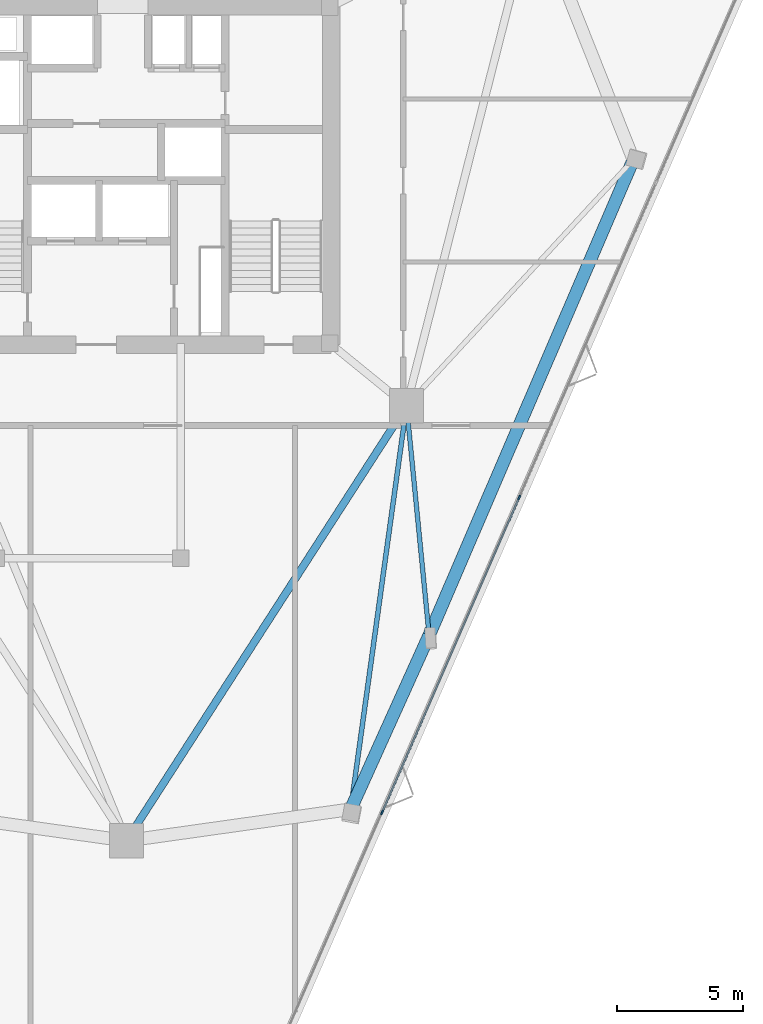
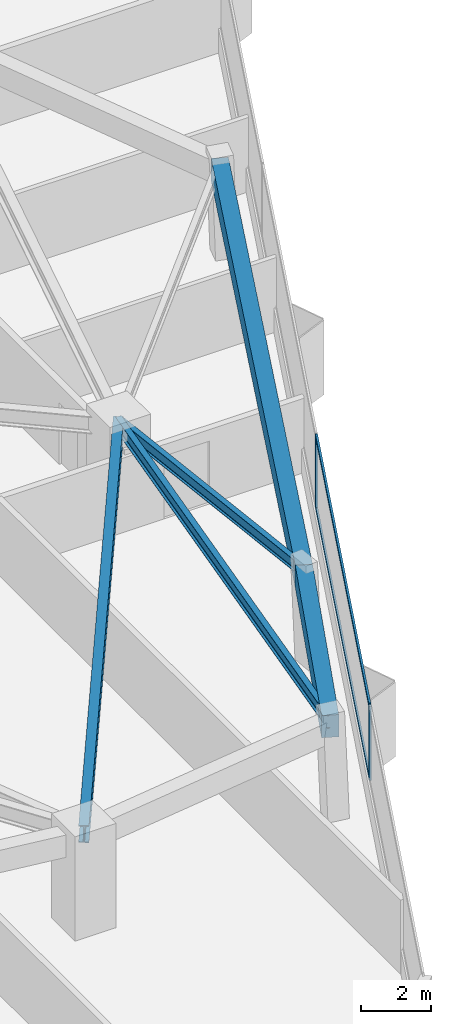
# One storey, part 4 of 12: 5 beams, 4 members, 1 element without a shape of its own.
"""IFC4 building model written with IfcOpenShell, lengths in metres."""

from ifc_helpers import new_model, si_unit, direction, frame, origin, origin_2d, place, context, subcontext, project, spatial, rectangle, i_section, extrude, material, layer, layer_set, material_profile, profile_set, type_object, element, aggregate, save


model = new_model("IFC4")

# Units and contexts
model_context = context("Model", 3, precision=1e-05, world=origin(), true_north=direction((0.0, 1.0)))
body_context = subcontext(model_context, "Body", "Model", "MODEL_VIEW")
ifc_project = project(units=[si_unit("LENGTHUNIT", "METRE"), si_unit("AREAUNIT", "SQUARE_METRE"), si_unit("VOLUMEUNIT", "CUBIC_METRE"), si_unit("PLANEANGLEUNIT", "RADIAN"), si_unit("MASSUNIT", "GRAM", prefix="KILO")], contexts=[model_context])

# Site, building, storey
site_placement = place(None, origin())
site = spatial("IfcSite", under=ifc_project, at=site_placement, CompositionType="ELEMENT")
building_placement = place(site_placement, origin())
building = spatial("IfcBuilding", under=site, at=building_placement, Name="Talyreon Biosciences Tower", CompositionType="ELEMENT")
storey_placement = place(building_placement, frame((0.0, 0.0, 183.050048828125)))
storey = spatial("IfcBuildingStorey", under=building, at=storey_placement, Name="L48", CompositionType="ELEMENT", Elevation=183.050048828125)

# Curtain wall, members
ifc_material_1 = material(Name="Thermally broken aluminium and low-E glazing", Category="aluminium")
ifc_layer = layer(ifc_material_1, 0.179931640625)
ifc_layer_set = layer_set([ifc_layer], Name="Thermally broken aluminium and low-E glazing")
curtain_wall_type = type_object("IfcCurtainWallType", Name="CurtainWall_Zone4Optical", PredefinedType="NOTDEFINED", material=ifc_layer_set)
curtain_wall_placement = place(storey_placement, origin())
curtain_wall = element("IfcCurtainWall", 1, at=curtain_wall_placement, inside=storey, type_object=curtain_wall_type, Name="L48 Unitised Curtain Wall FCW-L48-08", PredefinedType="NOTDEFINED")
ifc_material_2 = material(Name="Anodised thermally broken aluminium", Category="aluminium")
ifc_material_profile_1 = material_profile(ifc_material_2, rectangle(XDim=0.06494140625, YDim=0.179931640625, at=origin_2d()), Name="ALUM MULLION 65x180")
ifc_profile_set_1 = profile_set([ifc_material_profile_1], Name="Anodised thermally broken aluminium")
member_type_1 = type_object("IfcMemberType", Name="CWMullion_65x180", PredefinedType="MULLION", material=ifc_profile_set_1)
member_1_placement = place(storey_placement, frame((81.54248046875, 55.251953125, 0.81005859375), z_axis=(0.0, 0.0, 1.0), x_axis=(0.916912184291, -0.399089020519, 0.0)))
member_1 = element("IfcMember", 2, at=member_1_placement, type_object=member_type_1, Name="CW5 mullion 3", PredefinedType="MULLION", context=body_context, shape_type="SweptSolid", body=[
    extrude(rectangle(XDim=0.06494140625, YDim=0.179931640625, at=origin_2d()), origin(), (0.0, 0.0, 1.0), 2.58984375),
])
member_2_placement = place(storey_placement, frame((76.11865234375, 42.7900390625, 0.81005859375), z_axis=(0.0, 0.0, 1.0), x_axis=(0.916912184291, -0.399089020519, 0.0)))
member_2 = element("IfcMember", 3, at=member_2_placement, type_object=member_type_1, Name="CW5 mullion 4", PredefinedType="MULLION", context=body_context, shape_type="SweptSolid", body=[
    extrude(rectangle(XDim=0.06494140625, YDim=0.179931640625, at=origin_2d()), origin(), (0.0, 0.0, 1.0), 2.58984375),
])
ifc_material_profile_2 = material_profile(ifc_material_2, rectangle(XDim=0.06494140625, YDim=0.139892578125, at=origin_2d()), Name="ALUM TRANSOM 65x140")
ifc_profile_set_2 = profile_set([ifc_material_profile_2], Name="Anodised thermally broken aluminium")
member_type_2 = type_object("IfcMemberType", Name="CWTransom_65x140", PredefinedType="USERDEFINED", material=ifc_profile_set_2)
member_3_placement = place(storey_placement, frame((81.529541015625, 55.22216796875, 0.842529296875), z_axis=(-0.399075882405, -0.916917902586, 0.0), x_axis=(0.916917902586, -0.399075882405, 0.0)))
member_3 = element("IfcMember", 4, at=member_3_placement, type_object=member_type_2, Name="CW5 transom 3.1", ObjectType="TRANSOM", PredefinedType="USERDEFINED", context=body_context, shape_type="SweptSolid", body=[
    extrude(rectangle(XDim=0.06494140625, YDim=0.139892578125, at=origin_2d()), origin(), (0.0, 0.0, 1.0), 13.526123046875),
])
member_4_placement = place(storey_placement, frame((81.529541015625, 55.22216796875, 3.367431640625), z_axis=(-0.399075882405, -0.916917902586, 0.0), x_axis=(0.916917902586, -0.399075882405, 0.0)))
member_4 = element("IfcMember", 5, at=member_4_placement, type_object=member_type_2, Name="CW5 transom 3.2", ObjectType="TRANSOM", PredefinedType="USERDEFINED", context=body_context, shape_type="SweptSolid", body=[
    extrude(rectangle(XDim=0.06494140625, YDim=0.139892578125, at=origin_2d()), origin(), (0.0, 0.0, 1.0), 13.526123046875),
])
aggregate(curtain_wall, [member_1, member_2, member_3, member_4])

# Beams
ifc_material_3 = material(Name="Precast concrete C45/55", Category="concrete")
ifc_material_profile_3 = material_profile(ifc_material_3, rectangle(XDim=0.5, YDim=0.780029296875, at=origin_2d()), Name="RCB 500x780")
ifc_profile_set_3 = profile_set([ifc_material_profile_3], Name="Precast concrete C45/55")
beam_type_1 = type_object("IfcBeamType", Name="ExpressedSpandrel_500x780", PredefinedType="SPANDREL", material=ifc_profile_set_3)
beam_1_placement = place(storey_placement, frame((74.87548828125, 42.91748046875, 3.010009765625), z_axis=(0.411129891211, 0.911576772715, 0.0), x_axis=(-0.911576772715, 0.411129891211, 0.0)))
element("IfcBeam", 6, at=beam_1_placement, inside=storey, type_object=beam_type_1, Name="L48 Expressed Horizontal Concrete Spandrel 02", PredefinedType="SPANDREL", context=body_context, shape_type="SweptSolid", body=[
    extrude(rectangle(XDim=0.5, YDim=0.780029296875, at=origin_2d()), origin(), (0.0, 0.0, 1.0), 7.546875),
])
beam_2_placement = place(storey_placement, frame((77.978271484375, 49.797119140625, 3.010009765625), z_axis=(0.394539215655, 0.918879103751, 0.0), x_axis=(-0.918879103751, 0.394539215655, 0.0)))
element("IfcBeam", 7, at=beam_2_placement, inside=storey, type_object=beam_type_1, Name="L48 Expressed Horizontal Concrete Spandrel 03", PredefinedType="SPANDREL", context=body_context, shape_type="SweptSolid", body=[
    extrude(rectangle(XDim=0.5, YDim=0.780029296875, at=origin_2d()), origin(), (0.0, 0.0, 1.0), 20.48291015625),
])
ifc_material_4 = material(Name="Steel SM355", Category="steel")
ifc_material_profile_4 = material_profile(ifc_material_4, i_section(OverallWidth=0.300048828125, OverallDepth=0.60009765625, WebThickness=0.015380859375, FlangeThickness=0.030029296875, FilletRadius=0.027099609375, at=origin_2d()), Name="HE600B")
ifc_profile_set_4 = profile_set([ifc_material_profile_4], Name="Steel SM355")
beam_type_2 = type_object("IfcBeamType", Name="SteelBeam_HE600B", PredefinedType="BEAM", material=ifc_profile_set_4)
beam_3_placement = place(storey_placement, frame((66.0, 41.6669921875, 3.099853515625), z_axis=(0.541463723609, 0.840724114092, 0.0), x_axis=(-0.840724114092, 0.541463723609, 0.0)))
element("IfcBeam", 8, at=beam_3_placement, inside=storey, type_object=beam_type_2, Name="L48 Mega-Ring Girder 1", PredefinedType="BEAM", context=body_context, shape_type="SweptSolid", body=[
    extrude(i_section(OverallWidth=0.300048828125, OverallDepth=0.60009765625, WebThickness=0.015380859375, FlangeThickness=0.030029296875, FilletRadius=0.027099609375, at=origin_2d()), origin(), (0.0, 0.0, 1.0), 20.474365234375),
])
ifc_material_profile_5 = material_profile(ifc_material_4, i_section(OverallWidth=0.179931640625, OverallDepth=0.39990234375, WebThickness=0.008544921875, FlangeThickness=0.013427734375, FilletRadius=0.02099609375, at=origin_2d()), Name="IPE400")
ifc_profile_set_5 = profile_set([ifc_material_profile_5], Name="Steel SM355")
beam_type_3 = type_object("IfcBeamType", Name="SteelJoist_IPE400", PredefinedType="JOIST", material=ifc_profile_set_5)
beam_4_placement = place(storey_placement, frame((77.086181640625, 58.88037109375, 3.199951171875), z_axis=(0.097742339702, -0.995211753864, 0.0), x_axis=(0.995211753864, 0.097742339702, 0.0)))
element("IfcBeam", 9, at=beam_4_placement, inside=storey, type_object=beam_type_3, Name="L48 Radial Composite Floor Joist PL-SE", PredefinedType="JOIST", context=body_context, shape_type="SweptSolid", body=[
    extrude(i_section(OverallWidth=0.179931640625, OverallDepth=0.39990234375, WebThickness=0.008544921875, FlangeThickness=0.013427734375, FilletRadius=0.02099609375, at=origin_2d()), origin(), (0.0, 0.0, 1.0), 9.126953125),
])
ifc_material_profile_6 = material_profile(ifc_material_4, i_section(OverallWidth=0.18994140625, OverallDepth=0.449951171875, WebThickness=0.009521484375, FlangeThickness=0.0146484375, FilletRadius=0.02099609375, at=origin_2d()), Name="IPE450")
ifc_profile_set_6 = profile_set([ifc_material_profile_6], Name="Steel SM355")
beam_type_4 = type_object("IfcBeamType", Name="SteelJoist_IPE450", PredefinedType="JOIST", material=ifc_profile_set_6)
beam_5_placement = place(storey_placement, frame((77.086181640625, 58.88037109375, 3.175048828125), z_axis=(-0.137180272243, -0.990546098325, 0.0), x_axis=(0.990546098325, -0.137180272243, 0.0)))
element("IfcBeam", 10, at=beam_5_placement, inside=storey, type_object=beam_type_4, Name="L48 Radial Composite Floor Joist PC-SE1", PredefinedType="JOIST", context=body_context, shape_type="SweptSolid", body=[
    extrude(i_section(OverallWidth=0.18994140625, OverallDepth=0.449951171875, WebThickness=0.009521484375, FlangeThickness=0.0146484375, FilletRadius=0.02099609375, at=origin_2d()), origin(), (0.0, 0.0, 1.0), 16.115234375),
])

save(model, "model.ifc")
